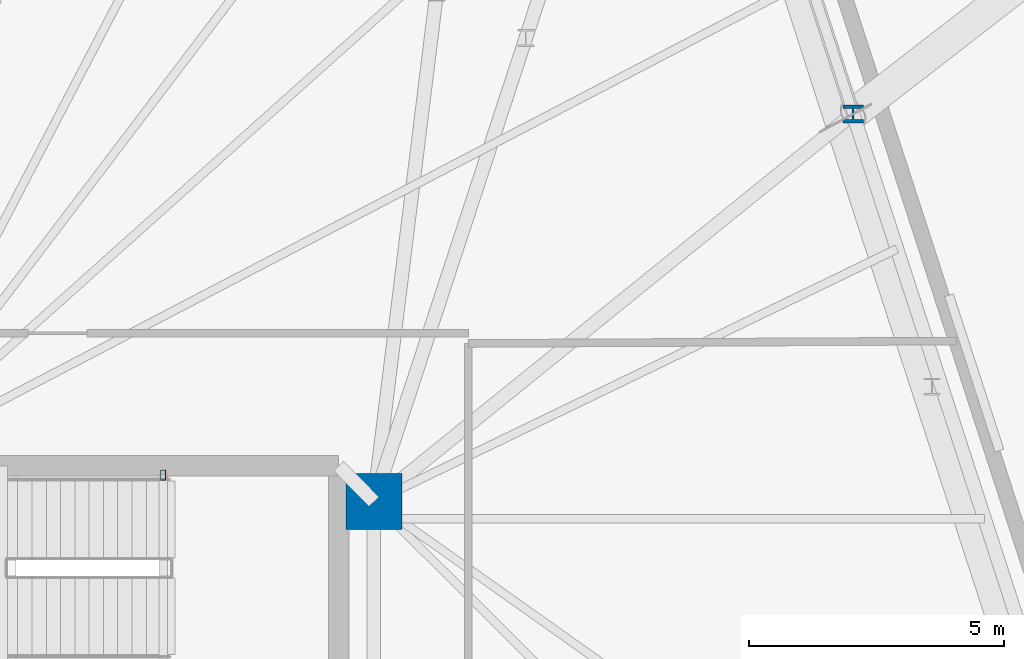
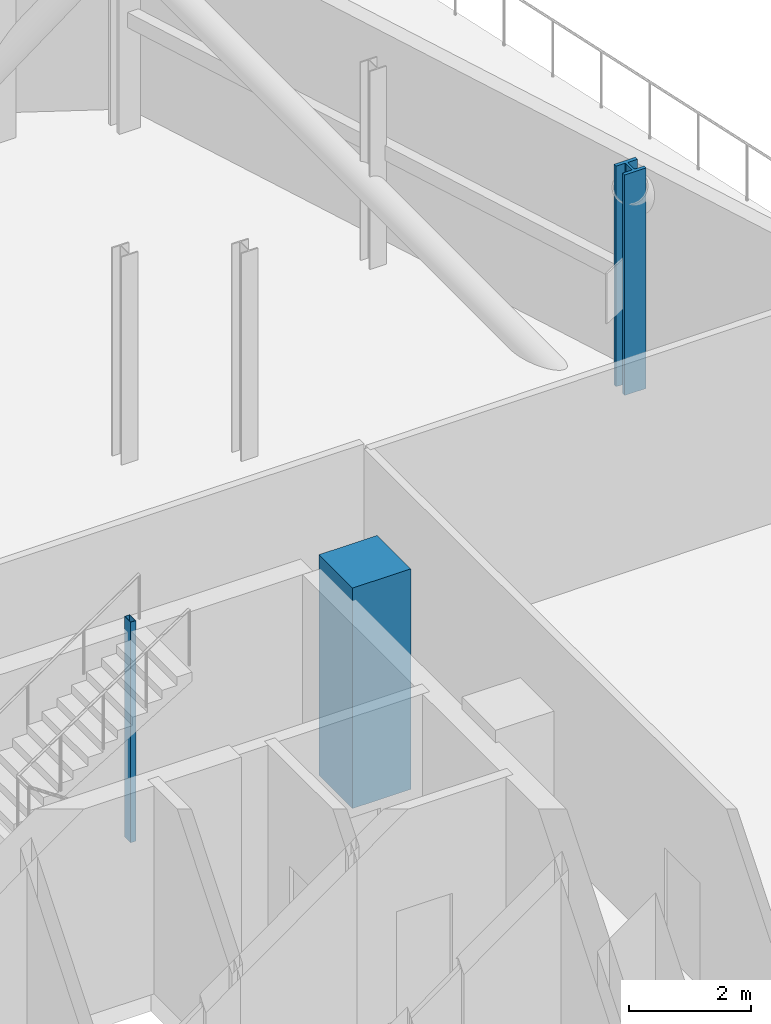
# One storey, part 3 of 16: 3 columns.
"""IFC4 building model written with IfcOpenShell, lengths in metres."""

from ifc_helpers import new_model, si_unit, direction, frame, origin, origin_2d, place, context, subcontext, project, spatial, rectangle, hollow_rectangle, i_section, extrude, material, material_profile, profile_set, type_object, element, save


model = new_model("IFC4")

# Units and contexts
model_context = context("Model", 3, precision=1e-05, world=origin(), true_north=direction((0.0, 1.0)))
body_context = subcontext(model_context, "Body", "Model", "MODEL_VIEW")
ifc_project = project(units=[si_unit("LENGTHUNIT", "METRE"), si_unit("AREAUNIT", "SQUARE_METRE"), si_unit("VOLUMEUNIT", "CUBIC_METRE"), si_unit("PLANEANGLEUNIT", "RADIAN"), si_unit("MASSUNIT", "GRAM", prefix="KILO")], contexts=[model_context])

# Site, building, storey
site_placement = place(None, origin())
site = spatial("IfcSite", under=ifc_project, at=site_placement, CompositionType="ELEMENT")
building_placement = place(site_placement, origin())
building = spatial("IfcBuilding", under=site, at=building_placement, Name="Menara Jurai Vektor", CompositionType="ELEMENT")
storey_placement = place(building_placement, frame((0.0, 0.0, 202.39990234375)))
storey = spatial("IfcBuildingStorey", under=building, at=storey_placement, Name="L53", CompositionType="ELEMENT", Elevation=202.39990234375)

# Columns
ifc_material_1 = material(Name="Concrete C50/60", Category="concrete")
ifc_material_profile_1 = material_profile(ifc_material_1, rectangle(XDim=1.10009765625, YDim=1.10009765625, at=origin_2d()), Name="RC 1100x1100")
ifc_profile_set_1 = profile_set([ifc_material_profile_1], Name="Concrete C50/60")
column_type_1 = type_object("IfcColumnType", Name="STR-COL-RC1100", PredefinedType="COLUMN", material=ifc_profile_set_1)
column_1_placement = place(storey_placement, frame((15.25, 4.89990234375, 0.0), z_axis=(0.0, 0.0, 1.0), x_axis=(1.0, 0.0, 0.0)))
element("IfcColumn", 1, at=column_1_placement, inside=storey, type_object=column_type_1, Name="Core Spine Column CE-NE L53", PredefinedType="COLUMN", context=body_context, shape_type="SweptSolid", body=[
    extrude(rectangle(XDim=1.10009765625, YDim=1.10009765625, at=origin_2d()), origin(), (0.0, 0.0, 1.0), 4.400146484375),
])
ifc_material_2 = material(Name="Steel S355", Category="steel")
ifc_material_profile_2 = material_profile(ifc_material_2, hollow_rectangle(XDim=0.10009765625, YDim=0.199951171875, WallThickness=0.008056640625, at=origin_2d()), Name="RHS 200x100x8")
ifc_profile_set_2 = profile_set([ifc_material_profile_2], Name="Steel S355")
column_type_2 = type_object("IfcColumnType", Name="STR-COL-STAIR", PredefinedType="COLUMN", material=ifc_profile_set_2)
column_2_placement = place(storey_placement, frame((11.1201171875, 5.419921875, 0.0), z_axis=(0.0, 0.0, 1.0), x_axis=(1.0, 0.0, 0.0)))
element("IfcColumn", 2, at=column_2_placement, inside=storey, type_object=column_type_2, Name="Stair Well Header Column ST2-P2 L53", PredefinedType="COLUMN", context=body_context, shape_type="SweptSolid", body=[
    extrude(hollow_rectangle(XDim=0.10009765625, YDim=0.199951171875, WallThickness=0.008056640625, at=origin_2d()), origin(), (0.0, 0.0, 1.0), 4.400146484375),
])
ifc_material_3 = material(Name="Steel S460", Category="steel")
ifc_material_profile_3 = material_profile(ifc_material_3, i_section(OverallWidth=0.405029296875, OverallDepth=0.35498046875, WebThickness=0.0419921875, FlangeThickness=0.068115234375, FilletRadius=0.014892578125, at=origin_2d()), Name="HD 400x551")
ifc_profile_set_3 = profile_set([ifc_material_profile_3], Name="Steel S460")
column_type_3 = type_object("IfcColumnType", Name="STR-EXO-BLK4", PredefinedType="COLUMN", material=ifc_profile_set_3)
column_3_placement = place(storey_placement, frame((24.641845703125, 12.496826171875, 0.0), z_axis=(0.0, 0.0, 1.0), x_axis=(1.0, 0.0, 0.0)))
element("IfcColumn", 3, at=column_3_placement, inside=storey, type_object=column_type_3, Name="Exoskeleton Column BLK4-E3 L53", PredefinedType="COLUMN", context=body_context, shape_type="SweptSolid", body=[
    extrude(i_section(OverallWidth=0.405029296875, OverallDepth=0.35498046875, WebThickness=0.0419921875, FlangeThickness=0.068115234375, FilletRadius=0.014892578125, at=origin_2d()), origin(), (0.0, 0.0, 1.0), 4.400146484375),
])

save(model, "model.ifc")
